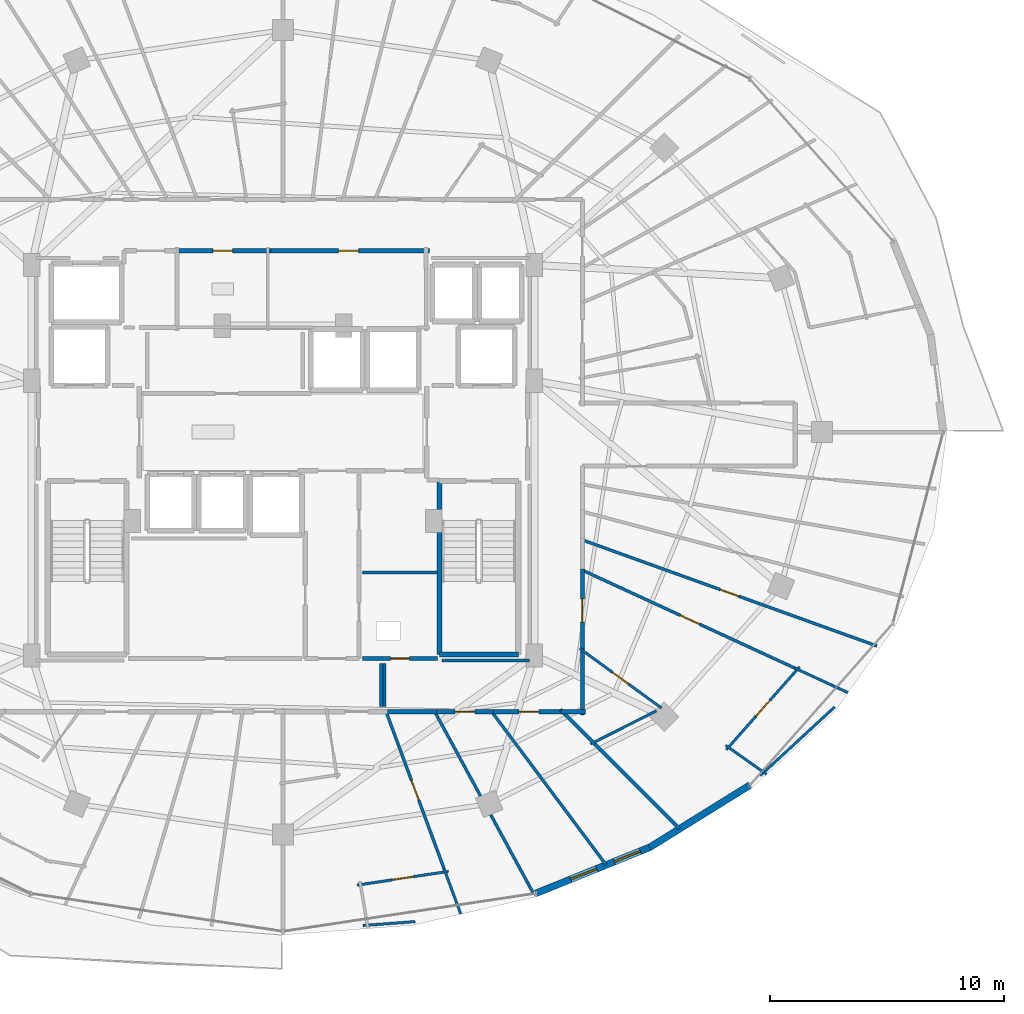
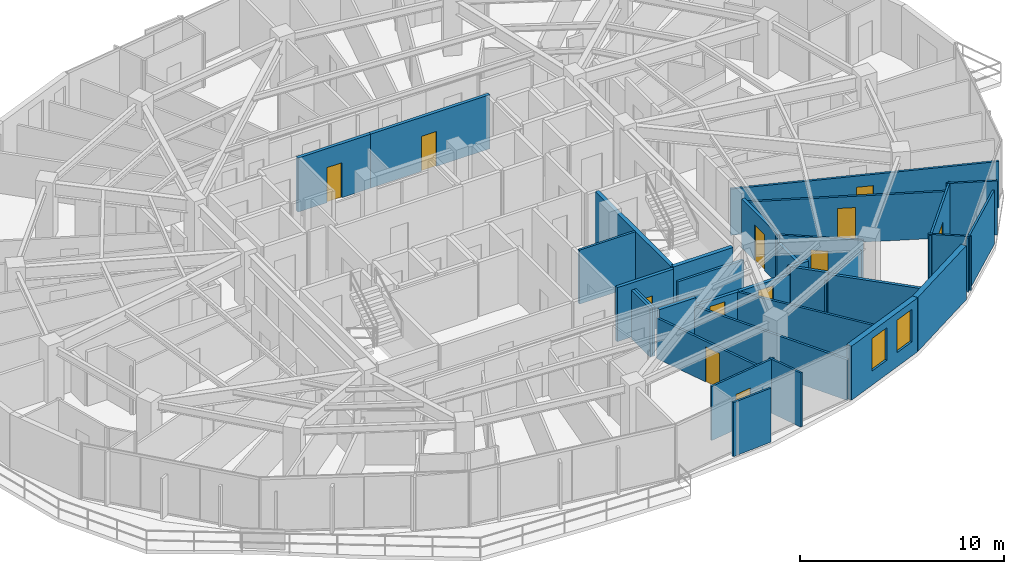
# One storey, part 27 of 34: 33 walls, 12 doors, 2 windows, 14 openings.
"""IFC4 building model written with IfcOpenShell, lengths in metres."""

from ifc_helpers import new_model, si_unit, direction, frame, frame_2d, origin, place, context, subcontext, project, spatial, rectangle, extrude, material, layer, layer_set, type_object, element, fill, save


model = new_model("IFC4")

# Units and contexts
model_context = context("Model", 3, precision=1e-05, world=origin(), true_north=direction((0.0, 1.0)))
body_context = subcontext(model_context, "Body", "Model", "MODEL_VIEW")
ifc_project = project(units=[si_unit("LENGTHUNIT", "METRE"), si_unit("AREAUNIT", "SQUARE_METRE"), si_unit("VOLUMEUNIT", "CUBIC_METRE"), si_unit("PLANEANGLEUNIT", "RADIAN"), si_unit("MASSUNIT", "GRAM", prefix="KILO")], contexts=[model_context])

# Site, building, storey
site_placement = place(None, origin())
site = spatial("IfcSite", under=ifc_project, at=site_placement, CompositionType="ELEMENT")
building_placement = place(site_placement, origin())
building = spatial("IfcBuilding", under=site, at=building_placement, Name="Vorneva Point Tower", CompositionType="ELEMENT")
storey_placement = place(building_placement, frame((0.0, 0.0, 182.60009765625)))
storey = spatial("IfcBuildingStorey", under=building, at=storey_placement, Name="L49", CompositionType="ELEMENT", Elevation=182.60009765625)

# Wall, openings, windows
ifc_material_1 = material(Name="Precast concrete B50 (C40/50)", Category="concrete")
ifc_layer_1 = layer(ifc_material_1, 0.300048828125)
ifc_layer_set_1 = layer_set([ifc_layer_1], Name="Precast concrete B50 (C40/50)")
wall_type_1 = type_object("IfcWallType", Name="WL-EXT-300", PredefinedType="STANDARD", material=ifc_layer_set_1)
wall_1_placement = place(storey_placement, frame((48.80322265625, 6.275146484375, 0.0), z_axis=(0.0, 0.0, 1.0), x_axis=(0.927111094334, 0.374786630981, 0.0)))
wall_1 = element("IfcWall", 1, at=wall_1_placement, inside=storey, type_object=wall_type_1, Name="L49 Pale-Metal Facade Spandrel Wall 14.1", PredefinedType="STANDARD", context=body_context, shape_type="SweptSolid", body=[
    extrude(rectangle(XDim=5.26416015625, YDim=0.300048828125, at=frame_2d((2.632080078125, 0.0))), origin(), (0.0, 0.0, 1.0), 3.239990234375),
])
opening_1_placement = place(wall_1_placement, frame((1.6181640625, 0.0, 0.85009765625)))
opening_1 = element("IfcOpeningElement", 2, at=opening_1_placement, cuts=wall_1, Name="Opening W-04", PredefinedType="OPENING", context=body_context, shape_type="SweptSolid", body=[
    extrude(rectangle(XDim=1.199951171875, YDim=1.949951171875, at=frame_2d((0.60009765625, 0.97509765625))), frame((0.0, 0.1650390625, 0.0), z_axis=(0.0, -1.0, 0.0), x_axis=(1.0, 0.0, 0.0)), (0.0, 0.0, 1.0), 0.329833984375),
])
opening_2_placement = place(wall_1_placement, frame((3.62841796875, 0.0, 0.85009765625)))
opening_2 = element("IfcOpeningElement", 3, at=opening_2_placement, cuts=wall_1, Name="Opening W-04", PredefinedType="OPENING", context=body_context, shape_type="SweptSolid", body=[
    extrude(rectangle(XDim=1.199951171875, YDim=1.949951171875, at=frame_2d((0.60009765625, 0.97509765625))), frame((0.0, 0.1650390625, 0.0), z_axis=(0.0, -1.0, 0.0), x_axis=(1.0, 0.0, 0.0)), (0.0, 0.0, 1.0), 0.329833984375),
])
ifc_material_2 = material(Name="Double low-e laminated glass IGU", Category="glass")
window_type = type_object("IfcWindowType", Name="WN-RES-1200", PartitioningType="SINGLE_PANEL", PredefinedType="WINDOW", material=ifc_material_2)
window_1_placement = place(opening_1_placement, origin())
window_1 = element("IfcWindow", 4, at=window_1_placement, inside=storey, type_object=window_type, Name="L49 Dwelling Vision Window 04", OverallHeight=1.949951171875, OverallWidth=1.199951171875, PartitioningType="SINGLE_PANEL", PredefinedType="WINDOW", context=body_context, shape_type="SweptSolid", body=[
    extrude(rectangle(XDim=1.199951171875, YDim=1.949951171875, at=frame_2d((0.60009765625, 0.97509765625))), frame((0.0, 0.030029296875, 0.0), z_axis=(0.0, -1.0, 0.0), x_axis=(1.0, 0.0, 0.0)), (0.0, 0.0, 1.0), 0.06005859375),
])
fill(opening_1, window_1)
window_2_placement = place(opening_2_placement, origin())
window_2 = element("IfcWindow", 5, at=window_2_placement, inside=storey, type_object=window_type, Name="L49 Dwelling Vision Window 05", OverallHeight=1.949951171875, OverallWidth=1.199951171875, PartitioningType="SINGLE_PANEL", PredefinedType="WINDOW", context=body_context, shape_type="SweptSolid", body=[
    extrude(rectangle(XDim=1.199951171875, YDim=1.949951171875, at=frame_2d((0.60009765625, 0.97509765625))), frame((0.0, 0.030029296875, 0.0), z_axis=(0.0, -1.0, 0.0), x_axis=(1.0, 0.0, 0.0)), (0.0, 0.0, 1.0), 0.06005859375),
])
fill(opening_2, window_2)

# Wall
wall_2_placement = place(storey_placement, frame((53.68359375, 8.248046875, 0.0), z_axis=(0.0, 0.0, 1.0), x_axis=(0.849647657754, 0.527350791858, 0.0)))
element("IfcWall", 6, at=wall_2_placement, inside=storey, type_object=wall_type_1, Name="L49 Pale-Metal Facade Spandrel Wall 14.2", PredefinedType="STANDARD", context=body_context, shape_type="SweptSolid", body=[
    extrude(rectangle(XDim=5.03515625, YDim=0.300048828125, at=frame_2d((2.517578125, 0.0))), origin(), (0.0, 0.0, 1.0), 3.239990234375),
])

# Wall, opening, door
ifc_material_3 = material(Name="Fire-rated acoustic gypsum stud partition", Category="gypsum")
ifc_layer_2 = layer(ifc_material_3, 0.110107421875)
ifc_layer_set_2 = layer_set([ifc_layer_2], Name="Fire-rated acoustic gypsum stud partition")
wall_type_2 = type_object("IfcWallType", Name="WL-PART-110", PredefinedType="PARTITIONING", material=ifc_layer_set_2)
wall_3_placement = place(storey_placement, frame((41.175537109375, 6.63330078125, 0.0), z_axis=(0.0, 0.0, 1.0), x_axis=(0.988877230123, 0.148734070555, 0.0)))
wall_3 = element("IfcWall", 7, at=wall_3_placement, inside=storey, type_object=wall_type_2, Name="L49 Interior Partition 170", PredefinedType="PARTITIONING", context=body_context, shape_type="SweptSolid", body=[
    extrude(rectangle(XDim=3.94287109375, YDim=0.110107421875, at=frame_2d((1.971435546875, 0.0))), origin(), (0.0, 0.0, 1.0), 3.239990234375),
])
opening_3_placement = place(wall_3_placement, frame((1.521240234375, 0.0, 0.0)))
opening_3 = element("IfcOpeningElement", 8, at=opening_3_placement, cuts=wall_3, Name="Opening ID-01", PredefinedType="OPENING", context=body_context, shape_type="SweptSolid", body=[
    extrude(rectangle(XDim=0.89990234375, YDim=2.10009765625, at=frame_2d((0.449951171875, 1.050048828125))), frame((0.0, 0.06982421875, 0.0), z_axis=(0.0, -1.0, 0.0), x_axis=(1.0, 0.0, 0.0)), (0.0, 0.0, 1.0), 0.139892578125),
])
ifc_material_4 = material(Name="Engineered oak fire-rated door leaf", Category="wood")
door_type_1 = type_object("IfcDoorType", Name="DR-ROOM-900", OperationType="NOTDEFINED", PredefinedType="DOOR", material=ifc_material_4)
door_1_placement = place(opening_3_placement, origin())
door_1 = element("IfcDoor", 9, at=door_1_placement, inside=storey, type_object=door_type_1, Name="L49 Door Living and Dining Room L49-07 / Kitchen L49-07", OperationType="SINGLE_SWING_LEFT", OverallHeight=2.10009765625, OverallWidth=0.89990234375, PredefinedType="DOOR", context=body_context, shape_type="SweptSolid", body=[
    extrude(rectangle(XDim=0.89990234375, YDim=2.10009765625, at=frame_2d((0.449951171875, 1.050048828125))), frame((0.0, 0.02490234375, 0.0), z_axis=(0.0, -1.0, 0.0), x_axis=(1.0, 0.0, 0.0)), (0.0, 0.0, 1.0), 0.050048828125),
])
fill(opening_3, door_1)

# Walls
wall_4_placement = place(storey_placement, frame((44.887451171875, 7.330322265625, 0.0), z_axis=(0.0, 0.0, 1.0), x_axis=(0.346337161188, -0.938110105894, 0.0)))
element("IfcWall", 10, at=wall_4_placement, inside=storey, type_object=wall_type_2, Name="L49 Interior Partition 171", PredefinedType="PARTITIONING", context=body_context, shape_type="SweptSolid", body=[
    extrude(rectangle(XDim=2.05908203125, YDim=0.110107421875, at=frame_2d((1.029541015625, 0.0))), origin(), (0.0, 0.0, 1.0), 3.239990234375),
])
wall_5_placement = place(storey_placement, frame((41.411376953125, 4.904541015625, 0.0), z_axis=(0.0, 0.0, 1.0), x_axis=(0.997205784552, 0.074703569226, 0.0)))
element("IfcWall", 11, at=wall_5_placement, inside=storey, type_object=wall_type_2, Name="L49 Interior Partition 172", PredefinedType="PARTITIONING", context=body_context, shape_type="SweptSolid", body=[
    extrude(rectangle(XDim=2.24853515625, YDim=0.110107421875, at=frame_2d((1.124267578125, 0.0))), origin(), (0.0, 0.0, 1.0), 3.239990234375),
])

# Wall, opening, door
wall_6_placement = place(storey_placement, frame((50.68701171875, 16.75244140625, 0.0), z_axis=(0.0, 0.0, 1.0), x_axis=(0.808074646764, -0.589080100883, 0.0)))
wall_6 = element("IfcWall", 12, at=wall_6_placement, inside=storey, type_object=wall_type_2, Name="L49 Interior Partition 178", PredefinedType="PARTITIONING", context=body_context, shape_type="SweptSolid", body=[
    extrude(rectangle(XDim=4.328857421875, YDim=0.110107421875, at=frame_2d((2.16455078125, 0.0))), origin(), (0.0, 0.0, 1.0), 2.8740234375),
])
opening_4_placement = place(wall_6_placement, frame((1.739501953125, 0.0, 0.0)))
opening_4 = element("IfcOpeningElement", 13, at=opening_4_placement, cuts=wall_6, Name="Opening ID-02", PredefinedType="OPENING", context=body_context, shape_type="SweptSolid", body=[
    extrude(rectangle(XDim=0.85009765625, YDim=2.10009765625, at=frame_2d((0.425048828125, 1.050048828125))), frame((0.0, 0.06982421875, 0.0), z_axis=(0.0, -1.0, 0.0), x_axis=(1.0, 0.0, 0.0)), (0.0, 0.0, 1.0), 0.139892578125),
])
door_type_2 = type_object("IfcDoorType", Name="DR-BATH-850", OperationType="NOTDEFINED", PredefinedType="DOOR", material=ifc_material_4)
door_2_placement = place(opening_4_placement, origin())
door_2 = element("IfcDoor", 14, at=door_2_placement, inside=storey, type_object=door_type_2, Name="L49 Door Living and Dining Room L49-08 / Bathroom L49-08", OperationType="SINGLE_SWING_LEFT", OverallHeight=2.10009765625, OverallWidth=0.85009765625, PredefinedType="DOOR", context=body_context, shape_type="SweptSolid", body=[
    extrude(rectangle(XDim=0.85009765625, YDim=2.10009765625, at=frame_2d((0.425048828125, 1.050048828125))), frame((0.0, 0.02490234375, 0.0), z_axis=(0.0, -1.0, 0.0), x_axis=(1.0, 0.0, 0.0)), (0.0, 0.0, 1.0), 0.050048828125),
])
fill(opening_4, door_2)

# Walls
wall_7_placement = place(storey_placement, frame((53.964111328125, 14.085205078125, 0.0), z_axis=(0.0, 0.0, 1.0), x_axis=(-0.892546166909, -0.450956028828, 0.0)))
element("IfcWall", 15, at=wall_7_placement, inside=storey, type_object=wall_type_2, Name="L49 Interior Partition 179", PredefinedType="PARTITIONING", context=body_context, shape_type="SweptSolid", body=[
    extrude(rectangle(XDim=3.154052734375, YDim=0.110107421875, at=frame_2d((1.5771484375, 0.0))), origin(), (0.0, 0.0, 1.0), 2.431884765625),
])
wall_8_placement = place(storey_placement, frame((58.67236328125, 11.3740234375, 0.0), z_axis=(0.0, 0.0, 1.0), x_axis=(-0.816262906602, 0.577680592807, 0.0)))
element("IfcWall", 16, at=wall_8_placement, inside=storey, type_object=wall_type_2, Name="L49 Interior Partition 180", PredefinedType="PARTITIONING", context=body_context, shape_type="SweptSolid", body=[
    extrude(rectangle(XDim=2.132568359375, YDim=0.110107421875, at=frame_2d((1.06640625, 0.0))), origin(), (0.0, 0.0, 1.0), 3.239990234375),
])

# Wall, opening, door
wall_9_placement = place(storey_placement, frame((56.953369140625, 12.420166015625, 0.0), z_axis=(0.0, 0.0, 1.0), x_axis=(0.662189711464, 0.749336230294, 0.0)))
wall_9 = element("IfcWall", 17, at=wall_9_placement, inside=storey, type_object=wall_type_2, Name="L49 Interior Partition 181", PredefinedType="PARTITIONING", context=body_context, shape_type="SweptSolid", body=[
    extrude(rectangle(XDim=4.731689453125, YDim=0.110107421875, at=frame_2d((2.36572265625, 0.0))), origin(), (0.0, 0.0, 1.0), 3.239990234375),
])
opening_5_placement = place(wall_9_placement, frame((1.916015625, 0.0, 0.0)))
opening_5 = element("IfcOpeningElement", 18, at=opening_5_placement, cuts=wall_9, Name="Opening ID-01", PredefinedType="OPENING", context=body_context, shape_type="SweptSolid", body=[
    extrude(rectangle(XDim=0.89990234375, YDim=2.10009765625, at=frame_2d((0.449951171875, 1.050048828125))), frame((0.0, 0.06982421875, 0.0), z_axis=(0.0, -1.0, 0.0), x_axis=(1.0, 0.0, 0.0)), (0.0, 0.0, 1.0), 0.139892578125),
])
door_3_placement = place(opening_5_placement, origin())
door_3 = element("IfcDoor", 19, at=door_3_placement, inside=storey, type_object=door_type_1, Name="L49 Door Living and Dining Room L49-08 / Kitchen L49-08", OperationType="SINGLE_SWING_RIGHT", OverallHeight=2.10009765625, OverallWidth=0.89990234375, PredefinedType="DOOR", context=body_context, shape_type="SweptSolid", body=[
    extrude(rectangle(XDim=0.89990234375, YDim=2.10009765625, at=frame_2d((0.449951171875, 1.050048828125))), frame((0.0, 0.02490234375, 0.0), z_axis=(0.0, -1.0, 0.0), x_axis=(1.0, 0.0, 0.0)), (0.0, 0.0, 1.0), 0.050048828125),
])
fill(opening_5, door_3)

# Walls
wall_10_placement = place(storey_placement, frame((58.41015625, 11.318115234375, 0.0), z_axis=(0.0, 0.0, 1.0), x_axis=(0.734861902375, 0.678216768031, 0.0)))
element("IfcWall", 20, at=wall_10_placement, inside=storey, type_object=wall_type_2, Name="L49 Interior Partition 182", PredefinedType="PARTITIONING", context=body_context, shape_type="SweptSolid", body=[
    extrude(rectangle(XDim=4.322998046875, YDim=0.110107421875, at=frame_2d((2.16162109375, 0.0))), origin(), (0.0, 0.0, 1.0), 3.239990234375),
])
wall_11_placement = place(storey_placement, frame((62.153076171875, 14.865478515625, 0.0), z_axis=(0.0, 0.0, 1.0), x_axis=(-0.908101251341, 0.418750662462, 0.0)))
element("IfcWall", 21, at=wall_11_placement, inside=storey, type_object=wall_type_2, Name="L49 Interior Partition 184", PredefinedType="PARTITIONING", context=body_context, shape_type="SweptSolid", body=[
    extrude(rectangle(XDim=2.517578125, YDim=0.110107421875, at=frame_2d((1.2587890625, 0.0))), origin(), (0.0, 0.0, 1.0), 3.239990234375),
])
ifc_layer_3 = layer(ifc_material_3, 0.125)
ifc_layer_set_3 = layer_set([ifc_layer_3], Name="Fire-rated acoustic gypsum stud partition")
wall_type_3 = type_object("IfcWallType", Name="WL-PART-125", PredefinedType="PARTITIONING", material=ifc_layer_set_3)
wall_12_placement = place(storey_placement, frame((44.60009765625, 20.0, 0.0), z_axis=(0.0, 0.0, 1.0), x_axis=(-1.0, 0.0, 0.0)))
element("IfcWall", 22, at=wall_12_placement, inside=storey, type_object=wall_type_3, Name="L49 Interior Partition 017", PredefinedType="PARTITIONING", context=body_context, shape_type="SweptSolid", body=[
    extrude(rectangle(XDim=3.2001953125, YDim=0.125, at=frame_2d((1.60009765625, 0.0))), origin(), (0.0, 0.0, 1.0), 3.239990234375),
])

# Wall, opening, door
wall_13_placement = place(storey_placement, frame((44.8876953125, 7.330322265625, 0.0), z_axis=(0.0, 0.0, 1.0), x_axis=(-0.346082862485, 0.938203950266, 0.0)))
wall_13 = element("IfcWall", 23, at=wall_13_placement, inside=storey, type_object=wall_type_3, Name="L49 Interior Partition 173", PredefinedType="PARTITIONING", context=body_context, shape_type="SweptSolid", body=[
    extrude(rectangle(XDim=7.162353515625, YDim=0.125, at=frame_2d((3.5810546875, 0.0))), origin(), (0.0, 0.0, 1.0), 2.431884765625),
])
opening_6_placement = place(wall_13_placement, frame((3.131103515625, 0.0, 0.0)))
opening_6 = element("IfcOpeningElement", 24, at=opening_6_placement, cuts=wall_13, Name="Opening ID-01", PredefinedType="OPENING", context=body_context, shape_type="SweptSolid", body=[
    extrude(rectangle(XDim=0.89990234375, YDim=2.10009765625, at=frame_2d((0.449951171875, 1.050048828125))), frame((0.0, 0.077392578125, 0.0), z_axis=(0.0, -1.0, 0.0), x_axis=(1.0, 0.0, 0.0)), (0.0, 0.0, 1.0), 0.15478515625),
])
door_4_placement = place(opening_6_placement, origin())
door_4 = element("IfcDoor", 25, at=door_4_placement, inside=storey, type_object=door_type_1, Name="L49 Door Living and Dining Room L49-07 / Master Bedroom L49-07.1", OperationType="SINGLE_SWING_RIGHT", OverallHeight=2.10009765625, OverallWidth=0.89990234375, PredefinedType="DOOR", context=body_context, shape_type="SweptSolid", body=[
    extrude(rectangle(XDim=0.89990234375, YDim=2.10009765625, at=frame_2d((0.449951171875, 1.050048828125))), frame((0.0, 0.02490234375, 0.0), z_axis=(0.0, -1.0, 0.0), x_axis=(1.0, 0.0, 0.0)), (0.0, 0.0, 1.0), 0.050048828125),
])
fill(opening_6, door_4)

# Walls
wall_14_placement = place(storey_placement, frame((48.718994140625, 6.258056640625, 0.0), z_axis=(0.0, 0.0, 1.0), x_axis=(-0.477180576465, 0.878805267078, 0.0)))
element("IfcWall", 26, at=wall_14_placement, inside=storey, type_object=wall_type_3, Name="L49 Interior Partition 174", PredefinedType="PARTITIONING", context=body_context, shape_type="SweptSolid", body=[
    extrude(rectangle(XDim=8.866455078125, YDim=0.125, at=frame_2d((4.43310546875, 0.0))), origin(), (0.0, 0.0, 1.0), 2.431884765625),
])
wall_15_placement = place(storey_placement, frame((51.818115234375, 7.49609375, 0.0), z_axis=(0.0, 0.0, 1.0), x_axis=(-0.598399090147, 0.801198183292, 0.0)))
element("IfcWall", 27, at=wall_15_placement, inside=storey, type_object=wall_type_3, Name="L49 Interior Partition 175", PredefinedType="PARTITIONING", context=body_context, shape_type="SweptSolid", body=[
    extrude(rectangle(XDim=8.18017578125, YDim=0.125, at=frame_2d((4.090087890625, 0.0))), origin(), (0.0, 0.0, 1.0), 2.431884765625),
])

# Wall, opening, door
wall_16_placement = place(storey_placement, frame((59.993896484375, 15.861083984375, 0.0), z_axis=(0.0, 0.0, 1.0), x_axis=(-0.908157621609, 0.41862839645, 0.0)))
wall_16 = element("IfcWall", 28, at=wall_16_placement, inside=storey, type_object=wall_type_3, Name="L49 Interior Partition 183", PredefinedType="PARTITIONING", context=body_context, shape_type="SweptSolid", body=[
    extrude(rectangle(XDim=10.12353515625, YDim=0.125, at=frame_2d((5.061767578125, 0.0))), origin(), (0.0, 0.0, 1.0), 2.77392578125),
])
opening_7_placement = place(wall_16_placement, frame((4.61181640625, 0.0, 0.0)))
opening_7 = element("IfcOpeningElement", 29, at=opening_7_placement, cuts=wall_16, Name="Opening ID-01", PredefinedType="OPENING", context=body_context, shape_type="SweptSolid", body=[
    extrude(rectangle(XDim=0.89990234375, YDim=2.10009765625, at=frame_2d((0.449951171875, 1.050048828125))), frame((0.0, 0.077392578125, 0.0), z_axis=(0.0, -1.0, 0.0), x_axis=(1.0, 0.0, 0.0)), (0.0, 0.0, 1.0), 0.15478515625),
])
door_5_placement = place(opening_7_placement, origin())
door_5 = element("IfcDoor", 30, at=door_5_placement, inside=storey, type_object=door_type_1, Name="L49 Door Living and Dining Room L49-08 / Master Bedroom L49-08.1", OperationType="SINGLE_SWING_LEFT", OverallHeight=2.10009765625, OverallWidth=0.89990234375, PredefinedType="DOOR", context=body_context, shape_type="SweptSolid", body=[
    extrude(rectangle(XDim=0.89990234375, YDim=2.10009765625, at=frame_2d((0.449951171875, 1.050048828125))), frame((0.0, 0.02490234375, 0.0), z_axis=(0.0, -1.0, 0.0), x_axis=(1.0, 0.0, 0.0)), (0.0, 0.0, 1.0), 0.050048828125),
])
fill(opening_7, door_5)

wall_17_placement = place(storey_placement, frame((63.39111328125, 16.85888671875, 0.0), z_axis=(0.0, 0.0, 1.0), x_axis=(-0.940877411069, 0.338747246985, 0.0)))
wall_17 = element("IfcWall", 31, at=wall_17_placement, inside=storey, type_object=wall_type_3, Name="L49 Interior Partition 185", PredefinedType="PARTITIONING", context=body_context, shape_type="SweptSolid", body=[
    extrude(rectangle(XDim=13.38232421875, YDim=0.125, at=frame_2d((6.691162109375, 0.0))), origin(), (0.0, 0.0, 1.0), 2.77392578125),
])
opening_8_placement = place(wall_17_placement, frame((6.26611328125, 0.0, 0.0)))
opening_8 = element("IfcOpeningElement", 32, at=opening_8_placement, cuts=wall_17, Name="Opening ID-02", PredefinedType="OPENING", context=body_context, shape_type="SweptSolid", body=[
    extrude(rectangle(XDim=0.85009765625, YDim=2.10009765625, at=frame_2d((0.425048828125, 1.050048828125))), frame((0.0, 0.077392578125, 0.0), z_axis=(0.0, -1.0, 0.0), x_axis=(1.0, 0.0, 0.0)), (0.0, 0.0, 1.0), 0.15478515625),
])
door_6_placement = place(opening_8_placement, origin())
door_6 = element("IfcDoor", 33, at=door_6_placement, inside=storey, type_object=door_type_2, Name="L49 Access Door Master Bedroom L49-08.1", OperationType="SINGLE_SWING_RIGHT", OverallHeight=2.10009765625, OverallWidth=0.85009765625, PredefinedType="DOOR", context=body_context, shape_type="SweptSolid", body=[
    extrude(rectangle(XDim=0.85009765625, YDim=2.10009765625, at=frame_2d((0.425048828125, 1.050048828125))), frame((0.0, 0.02490234375, 0.0), z_axis=(0.0, -1.0, 0.0), x_axis=(1.0, 0.0, 0.0)), (0.0, 0.0, 1.0), 0.050048828125),
])
fill(opening_8, door_6)

# Walls
ifc_layer_4 = layer(ifc_material_3, 0.139892578125)
ifc_layer_set_4 = layer_set([ifc_layer_4], Name="Fire-rated acoustic gypsum stud partition")
wall_type_4 = type_object("IfcWallType", Name="WL-PART-140", PredefinedType="PARTITIONING", material=ifc_layer_set_4)
wall_18_placement = place(storey_placement, frame((44.804931640625, 16.239990234375, 0.0), z_axis=(0.0, 0.0, 1.0), x_axis=(1.0, 0.0, 0.0)))
element("IfcWall", 34, at=wall_18_placement, inside=storey, type_object=wall_type_4, Name="L49 Interior Closure Partition 197", PredefinedType="PARTITIONING", context=body_context, shape_type="SweptSolid", body=[
    extrude(rectangle(XDim=3.7451171875, YDim=0.139892578125, at=frame_2d((1.87255859375, 0.0))), origin(), (0.0, 0.0, 1.0), 2.431884765625),
])
for number, where, z_axis, x_axis, name in (
    (35, (42.199951171875, 16.10009765625, 0.0), (0.0, 0.0, 1.0), (0.0, -1.0, 0.0), "L49 Interior Closure Partition 206"),
    (36, (42.340087890625, 14.27001953125, 0.0), (0.0, 0.0, 1.0), (0.0, 1.0, 0.0), "L49 Interior Closure Partition 207"),
):
    element("IfcWall", number, at=place(storey_placement, frame(where, z_axis=z_axis, x_axis=x_axis)), inside=storey, type_object=wall_type_4, Name=name, PredefinedType="PARTITIONING", context=body_context, shape_type="SweptSolid", body=[
        extrude(rectangle(XDim=1.830078125, YDim=0.139892578125, at=frame_2d((0.9150390625, 0.0))), origin(), (0.0, 0.0, 1.0), 2.921875),
    ])
ifc_layer_5 = layer(ifc_material_3, 0.159912109375)
ifc_layer_set_5 = layer_set([ifc_layer_5], Name="Fire-rated acoustic gypsum stud partition")
wall_type_5 = type_object("IfcWallType", Name="WL-PART-160", PredefinedType="PARTITIONING", material=ifc_layer_set_5)
wall_19_placement = place(storey_placement, frame((54.958984375, 9.041015625, 0.0), z_axis=(0.0, 0.0, 1.0), x_axis=(-0.707106781187, 0.707106781187, 0.0)))
element("IfcWall", 37, at=wall_19_placement, inside=storey, type_object=wall_type_5, Name="L49 Interior Partition 176", PredefinedType="PARTITIONING", context=body_context, shape_type="SweptSolid", body=[
    extrude(rectangle(XDim=5.270751953125, YDim=0.159912109375, at=frame_2d((2.63525390625, 0.0))), origin(), (0.0, 0.0, 1.0), 2.77392578125),
])
wall_20_placement = place(storey_placement, frame((51.3310546875, 12.6689453125, 0.0), z_axis=(0.0, 0.0, 1.0), x_axis=(-0.707106781187, 0.707106781187, 0.0)))
element("IfcWall", 38, at=wall_20_placement, inside=storey, type_object=wall_type_5, Name="L49 Interior Partition 177", PredefinedType="PARTITIONING", context=body_context, shape_type="SweptSolid", body=[
    extrude(rectangle(XDim=2.093017578125, YDim=0.159912109375, at=frame_2d((1.04638671875, 0.0))), origin(), (0.0, 0.0, 1.0), 2.8740234375),
])

# Wall, opening, door
ifc_material_5 = material(Name="Autoclaved aerated concrete blockwork", Category="masonry")
ifc_layer_6 = layer(ifc_material_5, 0.179931640625)
ifc_layer_set_6 = layer_set([ifc_layer_6], Name="Autoclaved aerated concrete blockwork")
wall_type_6 = type_object("IfcWallType", Name="WL-PART-180", PredefinedType="PARTITIONING", material=ifc_layer_set_6)
wall_21_placement = place(storey_placement, frame((41.39990234375, 16.320068359375, 0.0), z_axis=(0.0, 0.0, 1.0), x_axis=(1.0, 0.0, 0.0)))
wall_21 = element("IfcWall", 39, at=wall_21_placement, inside=storey, type_object=wall_type_6, Name="L49 Interior Partition 018", PredefinedType="PARTITIONING", context=body_context, shape_type="SweptSolid", body=[
    extrude(rectangle(XDim=3.2001953125, YDim=0.179931640625, at=frame_2d((1.60009765625, 0.0))), origin(), (0.0, 0.0, 1.0), 3.239990234375),
])
opening_9_placement = place(wall_21_placement, frame((1.199951171875, 0.0, 0.0)))
opening_9 = element("IfcOpeningElement", 40, at=opening_9_placement, cuts=wall_21, Name="Opening RD-01", PredefinedType="OPENING", context=body_context, shape_type="SweptSolid", body=[
    extrude(rectangle(XDim=0.800048828125, YDim=2.050048828125, at=frame_2d((0.39990234375, 1.02490234375))), frame((0.0, 0.10498046875, 0.0), z_axis=(0.0, -1.0, 0.0), x_axis=(1.0, 0.0, 0.0)), (0.0, 0.0, 1.0), 0.209716796875),
])
ifc_material_6 = material(Name="Fire-rated powder-coated steel", Category="steel")
door_type_3 = type_object("IfcDoorType", Name="DR-RSR-800", OperationType="SINGLE_SWING_LEFT", PredefinedType="DOOR", material=ifc_material_6)
door_7_placement = place(opening_9_placement, origin())
door_7 = element("IfcDoor", 41, at=door_7_placement, inside=storey, type_object=door_type_3, Name="L49 Door Electrical Riser / L49 Circulation Corridor", OperationType="SINGLE_SWING_RIGHT", OverallHeight=2.050048828125, OverallWidth=0.800048828125, PredefinedType="DOOR", context=body_context, shape_type="SweptSolid", body=[
    extrude(rectangle(XDim=0.800048828125, YDim=2.050048828125, at=frame_2d((0.39990234375, 1.02490234375))), frame((0.0, 0.02490234375, 0.0), z_axis=(0.0, -1.0, 0.0), x_axis=(1.0, 0.0, 0.0)), (0.0, 0.0, 1.0), 0.050048828125),
])
fill(opening_9, door_7)

wall_22_placement = place(storey_placement, frame((37.489990234375, 33.760009765625, 0.0), z_axis=(0.0, 0.0, 1.0), x_axis=(-1.0, 0.0, 0.0)))
wall_22 = element("IfcWall", 42, at=wall_22_placement, inside=storey, type_object=wall_type_6, Name="L49 Interior Partition 021", PredefinedType="PARTITIONING", context=body_context, shape_type="SweptSolid", body=[
    extrude(rectangle(XDim=4.1298828125, YDim=0.179931640625, at=frame_2d((2.06494140625, 0.0))), origin(), (0.0, 0.0, 1.0), 3.239990234375),
])
opening_10_placement = place(wall_22_placement, frame((1.639892578125, 0.0, 0.0)))
opening_10 = element("IfcOpeningElement", 43, at=opening_10_placement, cuts=wall_22, Name="Opening ID-02", PredefinedType="OPENING", context=body_context, shape_type="SweptSolid", body=[
    extrude(rectangle(XDim=0.85009765625, YDim=2.10009765625, at=frame_2d((0.425048828125, 1.050048828125))), frame((0.0, 0.10498046875, 0.0), z_axis=(0.0, -1.0, 0.0), x_axis=(1.0, 0.0, 0.0)), (0.0, 0.0, 1.0), 0.209716796875),
])
door_8_placement = place(opening_10_placement, origin())
door_8 = element("IfcDoor", 44, at=door_8_placement, inside=storey, type_object=door_type_2, Name="L49 Door Accessible WC / L49 Circulation Corridor", OperationType="SINGLE_SWING_LEFT", OverallHeight=2.10009765625, OverallWidth=0.85009765625, PredefinedType="DOOR", context=body_context, shape_type="SweptSolid", body=[
    extrude(rectangle(XDim=0.85009765625, YDim=2.10009765625, at=frame_2d((0.425048828125, 1.050048828125))), frame((0.0, 0.02490234375, 0.0), z_axis=(0.0, -1.0, 0.0), x_axis=(1.0, 0.0, 0.0)), (0.0, 0.0, 1.0), 0.050048828125),
])
fill(opening_10, door_8)

wall_23_placement = place(storey_placement, frame((44.260009765625, 33.760009765625, 0.0), z_axis=(0.0, 0.0, 1.0), x_axis=(-1.0, 0.0, 0.0)))
wall_23 = element("IfcWall", 45, at=wall_23_placement, inside=storey, type_object=wall_type_6, Name="L49 Interior Partition 023", PredefinedType="PARTITIONING", context=body_context, shape_type="SweptSolid", body=[
    extrude(rectangle(XDim=6.909912109375, YDim=0.179931640625, at=frame_2d((3.455078125, 0.0))), origin(), (0.0, 0.0, 1.0), 3.239990234375),
])
opening_11_placement = place(wall_23_placement, frame((3.030029296875, 0.0, 0.0)))
opening_11 = element("IfcOpeningElement", 46, at=opening_11_placement, cuts=wall_23, Name="Opening ID-02", PredefinedType="OPENING", context=body_context, shape_type="SweptSolid", body=[
    extrude(rectangle(XDim=0.85009765625, YDim=2.10009765625, at=frame_2d((0.425048828125, 1.050048828125))), frame((0.0, 0.10498046875, 0.0), z_axis=(0.0, -1.0, 0.0), x_axis=(1.0, 0.0, 0.0)), (0.0, 0.0, 1.0), 0.209716796875),
])
door_9_placement = place(opening_11_placement, origin())
door_9 = element("IfcDoor", 47, at=door_9_placement, inside=storey, type_object=door_type_2, Name="L49 Door Public Restroom / L49 Circulation Corridor", OperationType="SINGLE_SWING_RIGHT", OverallHeight=2.10009765625, OverallWidth=0.85009765625, PredefinedType="DOOR", context=body_context, shape_type="SweptSolid", body=[
    extrude(rectangle(XDim=0.85009765625, YDim=2.10009765625, at=frame_2d((0.425048828125, 1.050048828125))), frame((0.0, 0.02490234375, 0.0), z_axis=(0.0, -1.0, 0.0), x_axis=(1.0, 0.0, 0.0)), (0.0, 0.0, 1.0), 0.050048828125),
])
fill(opening_11, door_9)

# Wall
wall_24_placement = place(storey_placement, frame((42.472900390625, 14.050048828125, 0.0), z_axis=(0.0, 0.0, 1.0), x_axis=(1.0, 0.0, 0.0)))
element("IfcWall", 48, at=wall_24_placement, inside=storey, type_object=wall_type_6, Name="L49 Interior Partition 075", PredefinedType="PARTITIONING", context=body_context, shape_type="SweptSolid", body=[
    extrude(rectangle(XDim=2.0830078125, YDim=0.179931640625, at=frame_2d((1.04150390625, 0.0))), origin(), (0.0, 0.0, 1.0), 2.921875),
])

# Wall, opening, door
wall_25_placement = place(storey_placement, frame((44.555908203125, 14.050048828125, 0.0), z_axis=(0.0, 0.0, 1.0), x_axis=(1.0, 0.0, 0.0)))
wall_25 = element("IfcWall", 49, at=wall_25_placement, inside=storey, type_object=wall_type_6, Name="L49 Interior Partition 076", PredefinedType="PARTITIONING", context=body_context, shape_type="SweptSolid", body=[
    extrude(rectangle(XDim=2.442138671875, YDim=0.179931640625, at=frame_2d((1.22119140625, 0.0))), origin(), (0.0, 0.0, 1.0), 2.431884765625),
])
opening_12_placement = place(wall_25_placement, frame((0.7958984375, 0.0, 0.0)))
opening_12 = element("IfcOpeningElement", 50, at=opening_12_placement, cuts=wall_25, Name="Opening ID-02", PredefinedType="OPENING", context=body_context, shape_type="SweptSolid", body=[
    extrude(rectangle(XDim=0.85009765625, YDim=2.10009765625, at=frame_2d((0.425048828125, 1.050048828125))), frame((0.0, 0.10498046875, 0.0), z_axis=(0.0, -1.0, 0.0), x_axis=(1.0, 0.0, 0.0)), (0.0, 0.0, 1.0), 0.209716796875),
])
door_10_placement = place(opening_12_placement, origin())
door_10 = element("IfcDoor", 51, at=door_10_placement, inside=storey, type_object=door_type_2, Name="L49 Access Door L49 Circulation Corridor", OperationType="SINGLE_SWING_LEFT", OverallHeight=2.10009765625, OverallWidth=0.85009765625, PredefinedType="DOOR", context=body_context, shape_type="SweptSolid", body=[
    extrude(rectangle(XDim=0.85009765625, YDim=2.10009765625, at=frame_2d((0.425048828125, 1.050048828125))), frame((0.0, 0.02490234375, 0.0), z_axis=(0.0, -1.0, 0.0), x_axis=(1.0, 0.0, 0.0)), (0.0, 0.0, 1.0), 0.050048828125),
])
fill(opening_12, door_10)

wall_26_placement = place(storey_placement, frame((46.998046875, 14.050048828125, 0.0), z_axis=(0.0, 0.0, 1.0), x_axis=(1.0, 0.0, 0.0)))
wall_26 = element("IfcWall", 52, at=wall_26_placement, inside=storey, type_object=wall_type_6, Name="L49 Interior Partition 077", PredefinedType="PARTITIONING", context=body_context, shape_type="SweptSolid", body=[
    extrude(rectangle(XDim=3.036865234375, YDim=0.179931640625, at=frame_2d((1.5185546875, 0.0))), origin(), (0.0, 0.0, 1.0), 2.431884765625),
])
opening_13_placement = place(wall_26_placement, frame((1.093505859375, 0.0, 0.0)))
opening_13 = element("IfcOpeningElement", 53, at=opening_13_placement, cuts=wall_26, Name="Opening ID-02", PredefinedType="OPENING", context=body_context, shape_type="SweptSolid", body=[
    extrude(rectangle(XDim=0.85009765625, YDim=2.10009765625, at=frame_2d((0.425048828125, 1.050048828125))), frame((0.0, 0.10498046875, 0.0), z_axis=(0.0, -1.0, 0.0), x_axis=(1.0, 0.0, 0.0)), (0.0, 0.0, 1.0), 0.209716796875),
])
door_11_placement = place(opening_13_placement, origin())
door_11 = element("IfcDoor", 54, at=door_11_placement, inside=storey, type_object=door_type_2, Name="L49 Access Door L49 Circulation Corridor", OperationType="SINGLE_SWING_RIGHT", OverallHeight=2.10009765625, OverallWidth=0.85009765625, PredefinedType="DOOR", context=body_context, shape_type="SweptSolid", body=[
    extrude(rectangle(XDim=0.85009765625, YDim=2.10009765625, at=frame_2d((0.425048828125, 1.050048828125))), frame((0.0, 0.02490234375, 0.0), z_axis=(0.0, -1.0, 0.0), x_axis=(1.0, 0.0, 0.0)), (0.0, 0.0, 1.0), 0.050048828125),
])
fill(opening_13, door_11)

wall_27_placement = place(storey_placement, frame((50.800048828125, 16.595947265625, 0.0), z_axis=(0.0, 0.0, 1.0), x_axis=(0.0, 1.0, 0.0)))
wall_27 = element("IfcWall", 55, at=wall_27_placement, inside=storey, type_object=wall_type_6, Name="L49 Interior Partition 078", PredefinedType="PARTITIONING", context=body_context, shape_type="SweptSolid", body=[
    extrude(rectangle(XDim=3.56298828125, YDim=0.179931640625, at=frame_2d((1.781494140625, 0.0))), origin(), (0.0, 0.0, 1.0), 2.921875),
])
opening_14_placement = place(wall_27_placement, frame((1.281494140625, 0.0, 0.0)))
opening_14 = element("IfcOpeningElement", 56, at=opening_14_placement, cuts=wall_27, Name="Opening UD-01", PredefinedType="OPENING", context=body_context, shape_type="SweptSolid", body=[
    extrude(rectangle(XDim=1.0, YDim=2.14990234375, at=frame_2d((0.5, 1.074951171875))), frame((0.0, 0.10498046875, 0.0), z_axis=(0.0, -1.0, 0.0), x_axis=(1.0, 0.0, 0.0)), (0.0, 0.0, 1.0), 0.209716796875),
])
door_type_4 = type_object("IfcDoorType", Name="DR-UNIT-1000", OperationType="NOTDEFINED", PredefinedType="DOOR", material=ifc_material_4)
door_12_placement = place(opening_14_placement, origin())
door_12 = element("IfcDoor", 57, at=door_12_placement, inside=storey, type_object=door_type_4, Name="L49 Door L49 Circulation Corridor / Living and Dining Room L49-08", OperationType="SINGLE_SWING_RIGHT", OverallHeight=2.14990234375, OverallWidth=1.0, PredefinedType="DOOR", context=body_context, shape_type="SweptSolid", body=[
    extrude(rectangle(XDim=1.0, YDim=2.14990234375, at=frame_2d((0.5, 1.074951171875))), frame((0.0, 0.02490234375, 0.0), z_axis=(0.0, -1.0, 0.0), x_axis=(1.0, 0.0, 0.0)), (0.0, 0.0, 1.0), 0.050048828125),
])
fill(opening_14, door_12)

# Walls
wall_28_placement = place(storey_placement, frame((49.89501953125, 14.050048828125, 0.0), z_axis=(0.0, 0.0, 1.0), x_axis=(1.0, 0.0, 0.0)))
element("IfcWall", 58, at=wall_28_placement, inside=storey, type_object=wall_type_6, Name="L49 Interior Partition 079", PredefinedType="PARTITIONING", context=body_context, shape_type="SweptSolid", body=[
    extrude(rectangle(XDim=1.044921875, YDim=0.179931640625, at=frame_2d((0.5224609375, 0.0))), origin(), (0.0, 0.0, 1.0), 2.8740234375),
])
wall_29_placement = place(storey_placement, frame((50.800048828125, 13.909912109375, 0.0), z_axis=(0.0, 0.0, 1.0), x_axis=(0.0, 1.0, 0.0)))
element("IfcWall", 59, at=wall_29_placement, inside=storey, type_object=wall_type_6, Name="L49 Interior Partition 080", PredefinedType="PARTITIONING", context=body_context, shape_type="SweptSolid", body=[
    extrude(rectangle(XDim=2.826171875, YDim=0.179931640625, at=frame_2d((1.4130859375, 0.0))), origin(), (0.0, 0.0, 1.0), 2.431884765625),
])
ifc_material_7 = material(Name="Concrete B50 (C40/50)", Category="concrete")
ifc_layer_7 = layer(ifc_material_7, 0.219970703125)
ifc_layer_set_7 = layer_set([ifc_layer_7], Name="Concrete B50 (C40/50)")
wall_type_7 = type_object("IfcWallType", Name="WL-SHFT-220", PredefinedType="SOLIDWALL", material=ifc_layer_set_7)
wall_30_placement = place(storey_placement, frame((48.06005859375, 16.489990234375, 0.0), z_axis=(0.0, 0.0, 1.0), x_axis=(-1.0, 0.0, 0.0)))
element("IfcWall", 60, at=wall_30_placement, inside=storey, type_object=wall_type_7, Name="L49 Exit Stair ST2 Shaft Wall far", PredefinedType="SOLIDWALL", context=body_context, shape_type="SweptSolid", body=[
    extrude(rectangle(XDim=3.3701171875, YDim=0.219970703125, at=frame_2d((1.68505859375, 0.0))), origin(), (0.0, 0.0, 1.0), 3.239990234375),
])
wall_31_placement = place(storey_placement, frame((44.68994140625, 16.489990234375, 0.0), z_axis=(0.0, 0.0, 1.0), x_axis=(0.0, 1.0, 0.0)))
element("IfcWall", 61, at=wall_31_placement, inside=storey, type_object=wall_type_7, Name="L49 Exit Stair ST2 Shaft Wall left", PredefinedType="SOLIDWALL", context=body_context, shape_type="SweptSolid", body=[
    extrude(rectangle(XDim=7.419921875, YDim=0.219970703125, at=frame_2d((3.7099609375, 0.0))), origin(), (0.0, 0.0, 1.0), 3.239990234375),
])

save(model, "model.ifc")
